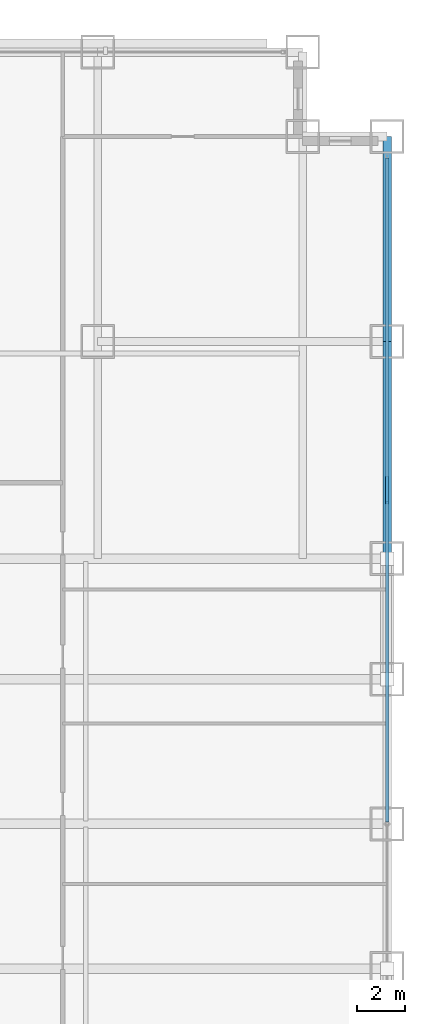
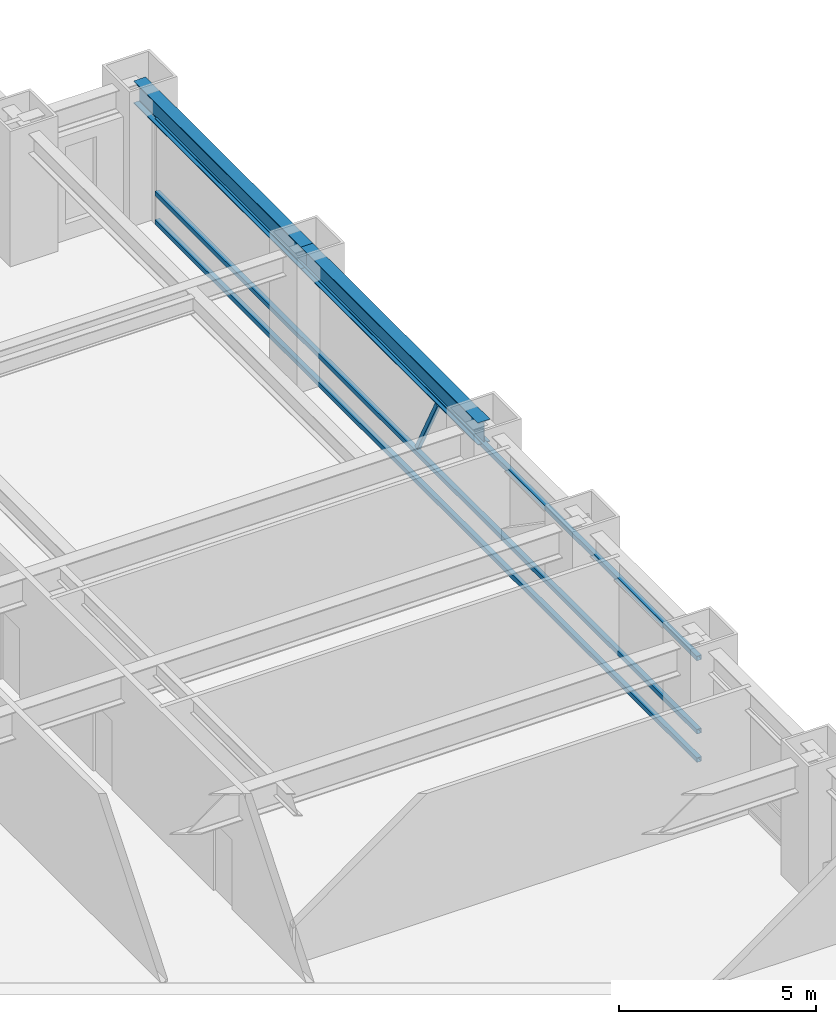
# One storey, part 15 of 32: 4 members, 2 beams, 1 element without a shape of its own.
"""IFC4 building model written with IfcOpenShell, lengths in metres."""

from ifc_helpers import new_model, si_unit, direction, frame, origin, origin_2d, place, context, subcontext, project, spatial, hollow_rectangle, i_section, extrude, source, transform, mapped, material, material_profile, profile_set, type_object, element, aggregate, save


model = new_model("IFC4")

# Units and contexts
model_context = context("Model", 3, precision=1e-05, world=origin(), true_north=direction((0.0, 1.0)))
body_context = subcontext(model_context, "Body", "Model", "MODEL_VIEW")
ifc_project = project(units=[si_unit("LENGTHUNIT", "METRE"), si_unit("AREAUNIT", "SQUARE_METRE"), si_unit("VOLUMEUNIT", "CUBIC_METRE"), si_unit("PLANEANGLEUNIT", "RADIAN"), si_unit("MASSUNIT", "GRAM", prefix="KILO")], contexts=[model_context])

# Site, building, storey
site_placement = place(None, origin())
site = spatial("IfcSite", under=ifc_project, at=site_placement, CompositionType="ELEMENT")
building_placement = place(site_placement, origin())
building = spatial("IfcBuilding", under=site, at=building_placement, Name="Khorayat Bourse Tower", CompositionType="ELEMENT")
storey_placement = place(building_placement, frame((0.0, 0.0, 70.39990234375)))
storey = spatial("IfcBuildingStorey", under=building, at=storey_placement, Name="L15", CompositionType="ELEMENT", Elevation=70.39990234375)

# Beams
ifc_material_1 = material(Name="Steel ASTM A992 Grade 50", Category="steel")
ifc_material_profile_1 = material_profile(ifc_material_1, i_section(OverallWidth=0.35498046875, OverallDepth=0.695068359375, WebThickness=0.015380859375, FlangeThickness=0.02490234375, FilletRadius=0.01806640625, at=origin_2d()), Name="W690X217")
ifc_profile_set_1 = profile_set([ifc_material_profile_1], Name="Steel ASTM A992 Grade 50")
beam_type = type_object("IfcBeamType", Name="BM-SPAN-690", PredefinedType="SPANDREL", material=ifc_profile_set_1)
shared_shape_1 = source(origin(), body_context, "Body", "SweptSolid", [
    extrude(i_section(OverallWidth=0.35498046875, OverallDepth=0.695068359375, WebThickness=0.015380859375, FlangeThickness=0.02490234375, FilletRadius=0.01806640625, at=origin_2d()), origin(), (0.0, 0.0, 1.0), 8.5),
])
beam_1_placement = place(storey_placement, frame((32.0, 20.0, 3.592529296875), z_axis=(0.0, 1.0, 0.0), x_axis=(-1.0, 0.0, 0.0)))
element("IfcBeam", 1, at=beam_1_placement, inside=storey, type_object=beam_type, Name="L15 BM-SPAN-690 BM-L15-SPN-041", PredefinedType="SPANDREL", context=body_context, shape_type="MappedRepresentation", body=[
    mapped(shared_shape_1, transform((0.0, 0.0, 0.0), scale=1.0)),
])
shared_shape_2 = source(origin(), body_context, "Body", "SweptSolid", [
    extrude(i_section(OverallWidth=0.35498046875, OverallDepth=0.695068359375, WebThickness=0.015380859375, FlangeThickness=0.02490234375, FilletRadius=0.01806640625, at=origin_2d()), origin(), (0.0, 0.0, 1.0), 9.0),
])
beam_2_placement = place(storey_placement, frame((32.0, 11.0, 3.592529296875), z_axis=(0.0, 1.0, 0.0), x_axis=(-1.0, 0.0, 0.0)))
element("IfcBeam", 2, at=beam_2_placement, inside=storey, type_object=beam_type, Name="L15 BM-SPAN-690 BM-L15-SPN-040", PredefinedType="SPANDREL", context=body_context, shape_type="MappedRepresentation", body=[
    mapped(shared_shape_2, transform((0.0, 0.0, 0.0), scale=1.0)),
])

# Curtain wall, members
ifc_material_2 = material(Name="Aluminium EN AW-6063 T6", Category="aluminium")
curtain_wall_type = type_object("IfcCurtainWallType", Name="CW-SYS-02", PredefinedType="NOTDEFINED", material=ifc_material_2)
curtain_wall_placement = place(storey_placement, origin())
curtain_wall = element("IfcCurtainWall", 3, at=curtain_wall_placement, inside=storey, type_object=curtain_wall_type, Name="L15 Curtain Wall CW-L15-E1", PredefinedType="NOTDEFINED")
ifc_material_profile_2 = material_profile(ifc_material_2, hollow_rectangle(XDim=0.1201171875, YDim=0.1201171875, WallThickness=0.0048828125, at=origin_2d()), Name="ALU 120x120x5")
ifc_profile_set_2 = profile_set([ifc_material_profile_2], Name="Aluminium EN AW-6063 T6")
member_type_1 = type_object("IfcMemberType", Name="CWM-DIAG-120", PredefinedType="MULLION", material=ifc_profile_set_2)
shared_shape_3 = source(origin(), body_context, "Body", "SweptSolid", [
    extrude(hollow_rectangle(XDim=0.1201171875, YDim=0.1201171875, WallThickness=0.0048828125, at=origin_2d()), origin(), (0.0, 0.0, 1.0), 2.22607421875),
])
member_1_placement = place(storey_placement, frame((32.0, 14.3583984375, 1.10009765625), z_axis=(0.0, -0.465759992596, 0.884911085532), x_axis=(1.0, 0.0, 0.0)))
member_1 = element("IfcMember", 4, at=member_1_placement, type_object=member_type_1, Name="CW-L15-E1 Faceted Diagonal Mullion 2", PredefinedType="MULLION", context=body_context, shape_type="MappedRepresentation", body=[
    mapped(shared_shape_3, transform((0.0, 0.0, 0.0), scale=1.0)),
])
ifc_material_profile_3 = material_profile(ifc_material_2, hollow_rectangle(XDim=0.139892578125, YDim=0.139892578125, WallThickness=0.006103515625, at=origin_2d()), Name="ALU 140x140x6")
ifc_profile_set_3 = profile_set([ifc_material_profile_3], Name="Aluminium EN AW-6063 T6")
member_type_2 = type_object("IfcMemberType", Name="CWT-HORZ-140", PredefinedType="USERDEFINED", material=ifc_profile_set_3)
shared_shape_4 = source(origin(), body_context, "Body", "SweptSolid", [
    extrude(hollow_rectangle(XDim=0.139892578125, YDim=0.139892578125, WallThickness=0.006103515625, at=origin_2d()), origin(), (0.0, 0.0, 1.0), 27.5400390625),
])
member_2_placement = place(storey_placement, frame((32.0, 0.070068359375, 0.070068359375), z_axis=(0.0, 1.0, 0.0), x_axis=(-1.0, 0.0, 0.0)))
member_2 = element("IfcMember", 5, at=member_2_placement, type_object=member_type_2, Name="CW-L15-E1 Horizontal Transom 2-1", ObjectType="TRANSOM", PredefinedType="USERDEFINED", context=body_context, shape_type="MappedRepresentation", body=[
    mapped(shared_shape_4, transform((0.0, 0.0, 0.0), scale=1.0)),
])
member_3_placement = place(storey_placement, frame((32.0, 0.070068359375, 0.9501953125), z_axis=(0.0, 1.0, 0.0), x_axis=(-1.0, 0.0, 0.0)))
member_3 = element("IfcMember", 6, at=member_3_placement, type_object=member_type_2, Name="CW-L15-E1 Horizontal Transom 2-2", ObjectType="TRANSOM", PredefinedType="USERDEFINED", context=body_context, shape_type="MappedRepresentation", body=[
    mapped(shared_shape_4, transform((0.0, 0.0, 0.0), scale=1.0)),
])
member_4_placement = place(storey_placement, frame((32.0, 0.070068359375, 3.22021484375), z_axis=(0.0, 1.0, 0.0), x_axis=(-1.0, 0.0, 0.0)))
member_4 = element("IfcMember", 7, at=member_4_placement, type_object=member_type_2, Name="CW-L15-E1 Horizontal Transom 2-3", ObjectType="TRANSOM", PredefinedType="USERDEFINED", context=body_context, shape_type="MappedRepresentation", body=[
    mapped(shared_shape_4, transform((0.0, 0.0, 0.0), scale=1.0)),
])
aggregate(curtain_wall, [member_2, member_3, member_4, member_1])

save(model, "model.ifc")
